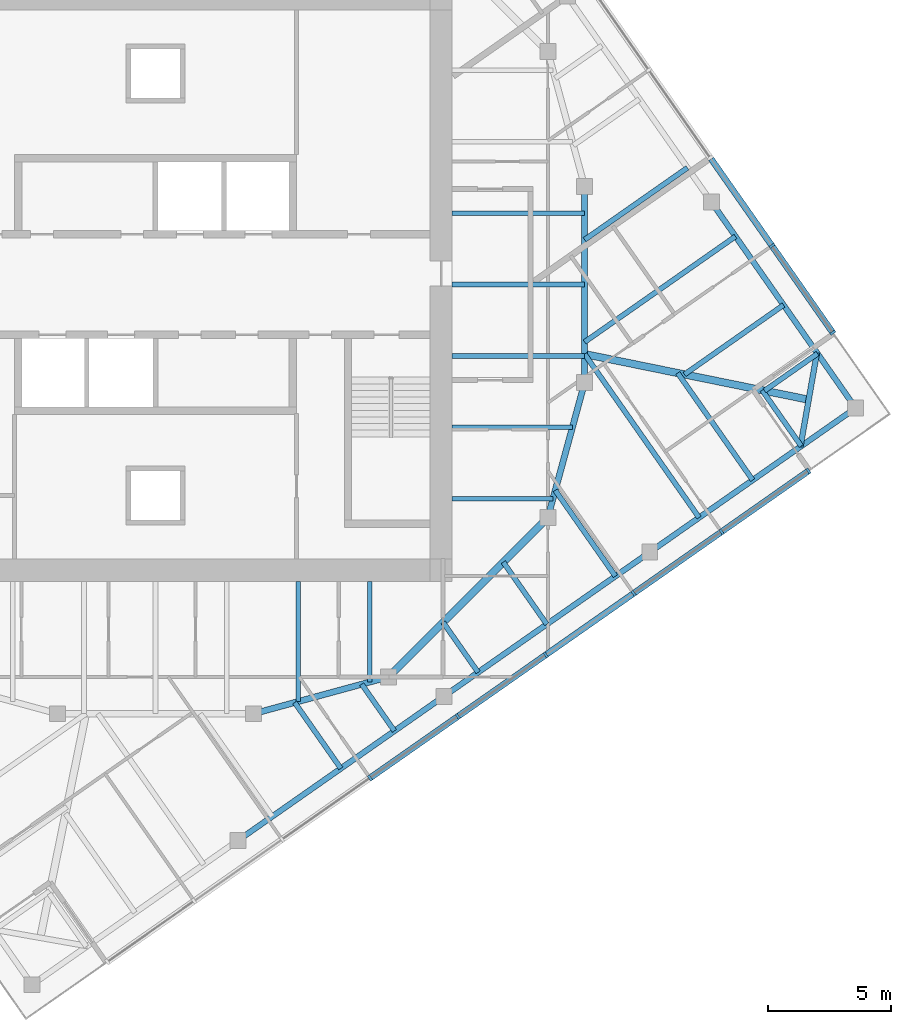
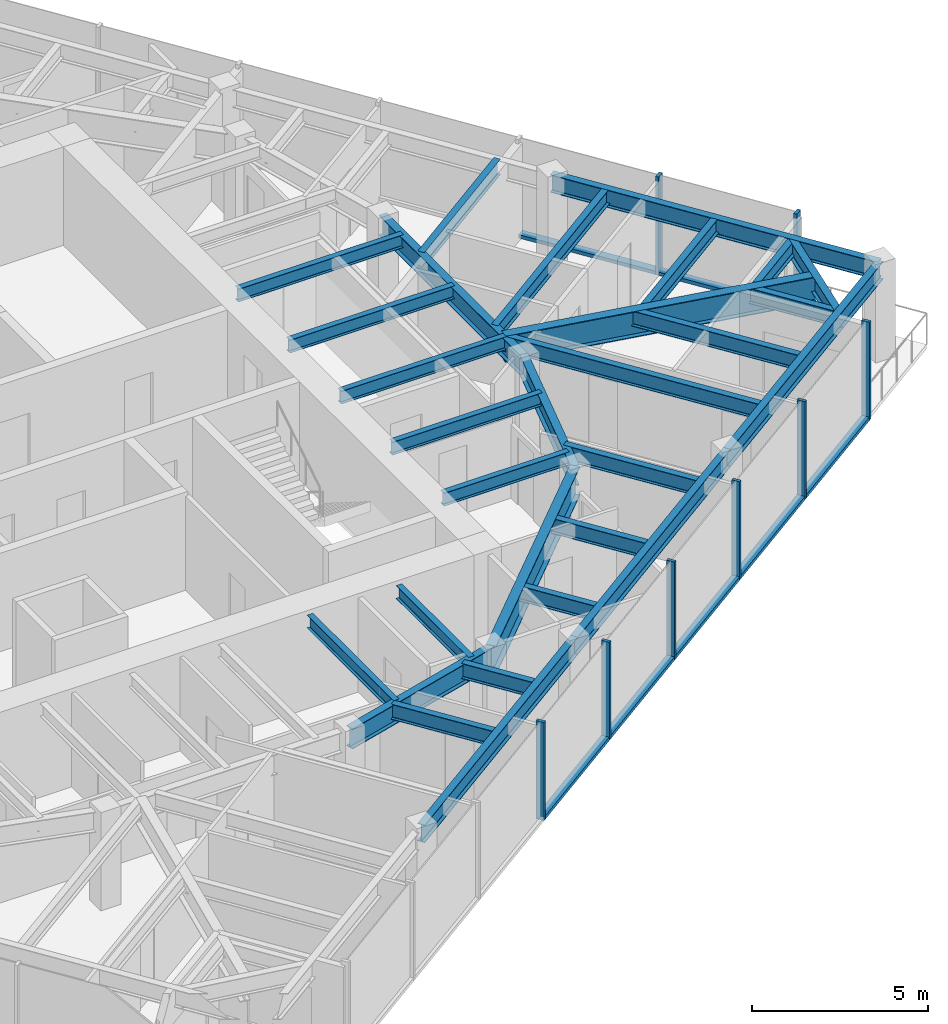
# One storey, part 3 of 12: 29 beams, 15 members, 2 elements without a shape of their own.
"""IFC4 building model written with IfcOpenShell, lengths in metres."""

from ifc_helpers import new_model, si_unit, direction, frame, origin, origin_2d, place, context, subcontext, project, spatial, rectangle, i_section, extrude, material, material_profile, profile_set, type_object, element, aggregate, save


model = new_model("IFC4")

# Units and contexts
model_context = context("Model", 3, precision=1e-05, world=origin(), true_north=direction((0.0, 1.0)))
body_context = subcontext(model_context, "Body", "Model", "MODEL_VIEW")
ifc_project = project(units=[si_unit("LENGTHUNIT", "METRE"), si_unit("AREAUNIT", "SQUARE_METRE"), si_unit("VOLUMEUNIT", "CUBIC_METRE"), si_unit("PLANEANGLEUNIT", "RADIAN"), si_unit("MASSUNIT", "GRAM", prefix="KILO")], contexts=[model_context])

# Site, building, storey
site_placement = place(None, origin())
site = spatial("IfcSite", under=ifc_project, at=site_placement, CompositionType="ELEMENT")
building_placement = place(site_placement, origin())
building = spatial("IfcBuilding", under=site, at=building_placement, Name="Torsade Residences", CompositionType="ELEMENT")
storey_placement = place(building_placement, frame((0.0, 0.0, 254.0)))
storey = spatial("IfcBuildingStorey", under=building, at=storey_placement, Name="L70", CompositionType="ELEMENT", Elevation=254.0)

# Beams
ifc_material_1 = material(Name="Steel grade 300", Category="steel")
ifc_material_profile_1 = material_profile(ifc_material_1, i_section(OverallWidth=0.300048828125, OverallDepth=0.89990234375, WebThickness=0.011962890625, FlangeThickness=0.02490234375, at=origin_2d()), Name="900WB175")
ifc_profile_set_1 = profile_set([ifc_material_profile_1], Name="Steel grade 300")
beam_type_1 = type_object("IfcBeamType", Name="CORNER GIRDER 900WB175", PredefinedType="BEAM", material=ifc_profile_set_1)
beam_1_placement = place(storey_placement, frame((66.635986328125, 25.303466796875, 2.800048828125), z_axis=(-0.979880626756, 0.199584461589, 0.0), x_axis=(-0.199584461589, -0.979880626756, 0.0)))
element("IfcBeam", 1, at=beam_1_placement, inside=storey, type_object=beam_type_1, Name="Corner girder 05 L71", PredefinedType="BEAM", context=body_context, shape_type="SweptSolid", body=[
    extrude(i_section(OverallWidth=0.300048828125, OverallDepth=0.89990234375, WebThickness=0.011962890625, FlangeThickness=0.02490234375, at=origin_2d()), origin(), (0.0, 0.0, 1.0), 9.323486328125),
])
ifc_material_2 = material(Name="Steel grade 300", Category="steel")
ifc_material_profile_2 = material_profile(ifc_material_2, i_section(OverallWidth=0.22802734375, OverallDepth=0.60205078125, WebThickness=0.010498046875, FlangeThickness=0.014892578125, FilletRadius=0.013916015625, at=origin_2d()), Name="610UB101")
ifc_profile_set_2 = profile_set([ifc_material_profile_2], Name="Steel grade 300")
beam_type_2 = type_object("IfcBeamType", Name="CORNER TRIMMER 610UB101", PredefinedType="BEAM", material=ifc_profile_set_2)
beam_2_placement = place(storey_placement, frame((66.9736328125, 27.21826171875, 2.948974609375), z_axis=(-0.173645660267, -0.984808196894, 0.0), x_axis=(0.984808196894, -0.173645660267, 0.0)))
element("IfcBeam", 2, at=beam_2_placement, inside=storey, type_object=beam_type_2, Name="Corner trimmer 05 L71", PredefinedType="BEAM", context=body_context, shape_type="SweptSolid", body=[
    extrude(i_section(OverallWidth=0.22802734375, OverallDepth=0.60205078125, WebThickness=0.010498046875, FlangeThickness=0.014892578125, FilletRadius=0.013916015625, at=origin_2d()), origin(), (0.0, 0.0, 1.0), 3.888916015625),
])
ifc_material_3 = material(Name="Steel grade 300", Category="steel")
ifc_material_profile_3 = material_profile(ifc_material_3, i_section(OverallWidth=0.22900390625, OverallDepth=0.612060546875, WebThickness=0.011962890625, FlangeThickness=0.01953125, FilletRadius=0.013916015625, at=origin_2d()), Name="610UB125")
ifc_profile_set_3 = profile_set([ifc_material_profile_3], Name="Steel grade 300")
beam_type_3 = type_object("IfcBeamType", Name="EDGE BEAM 610UB125", PredefinedType="SPANDREL", material=ifc_profile_set_3)
for number, where, z_axis, x_axis, name in (
    (3, (43.362060546875, 7.328125, 2.944091796875), (0.819150225126, 0.573579034377, 0.0), (-0.573579034377, 0.819150225126, 0.0), "Edge beam 02 L71"),
    (4, (51.75830078125, 13.207275390625, 2.944091796875), (0.819150225126, 0.573579034377, 0.0), (-0.573579034377, 0.819150225126, 0.0), "Edge beam 03 L71"),
):
    element("IfcBeam", number, at=place(storey_placement, frame(where, z_axis=z_axis, x_axis=x_axis)), inside=storey, type_object=beam_type_3, Name=name, PredefinedType="SPANDREL", context=body_context, shape_type="SweptSolid", body=[
        extrude(i_section(OverallWidth=0.22900390625, OverallDepth=0.612060546875, WebThickness=0.011962890625, FlangeThickness=0.01953125, FilletRadius=0.013916015625, at=origin_2d()), origin(), (0.0, 0.0, 1.0), 10.25),
    ])
beam_3_placement = place(storey_placement, frame((60.154541015625, 19.08642578125, 2.944091796875), z_axis=(0.819146870247, 0.573583825578, 0.0), x_axis=(-0.573583825578, 0.819146870247, 0.0)))
element("IfcBeam", 5, at=beam_3_placement, inside=storey, type_object=beam_type_3, Name="Edge beam 04 L71", PredefinedType="SPANDREL", context=body_context, shape_type="SweptSolid", body=[
    extrude(i_section(OverallWidth=0.22900390625, OverallDepth=0.612060546875, WebThickness=0.011962890625, FlangeThickness=0.01953125, FilletRadius=0.013916015625, at=origin_2d()), origin(), (0.0, 0.0, 1.0), 10.250244140625),
])
beam_4_placement = place(storey_placement, frame((68.551025390625, 24.9658203125, 2.944091796875), z_axis=(-0.573579034377, 0.819150225126, 0.0), x_axis=(-0.819150225126, -0.573579034377, 0.0)))
element("IfcBeam", 6, at=beam_4_placement, inside=storey, type_object=beam_type_3, Name="Edge beam 05 L71", PredefinedType="SPANDREL", context=body_context, shape_type="SweptSolid", body=[
    extrude(i_section(OverallWidth=0.22900390625, OverallDepth=0.612060546875, WebThickness=0.011962890625, FlangeThickness=0.01953125, FilletRadius=0.013916015625, at=origin_2d()), origin(), (0.0, 0.0, 1.0), 10.25),
])

# Curtain wall, members
ifc_material_4 = material(Name="Aluminium and glass", Category="aluminium")
curtain_wall_type = type_object("IfcCurtainWallType", Name="FRITTED GLASS CURTAIN WALL HIGH ZONE", PredefinedType="NOTDEFINED", material=ifc_material_4)
curtain_wall_1_placement = place(storey_placement, origin())
curtain_wall_1 = element("IfcCurtainWall", 7, at=curtain_wall_1_placement, inside=storey, type_object=curtain_wall_type, Name="Curtain wall L70 face 1", PredefinedType="NOTDEFINED")
ifc_material_5 = material(Name="Aluminium mullion", Category="aluminium")
ifc_material_profile_4 = material_profile(ifc_material_5, rectangle(XDim=0.25, YDim=0.10009765625, at=origin_2d()), Name="HIGH ZONE CURTAIN WALL MULLION 250x100")
ifc_profile_set_4 = profile_set([ifc_material_profile_4], Name="Aluminium mullion")
member_type_1 = type_object("IfcMemberType", Name="HIGH ZONE CURTAIN WALL MULLION 250x100", PredefinedType="MULLION", material=ifc_profile_set_4)
member_1_placement = place(storey_placement, frame((48.748046875, 9.87890625, 0.0), z_axis=(0.0, 0.0, 1.0), x_axis=(-0.573576457682, 0.819152029353, 0.0)))
member_1 = element("IfcMember", 8, at=member_1_placement, type_object=member_type_1, Name="Mullion 4", PredefinedType="MULLION", context=body_context, shape_type="SweptSolid", body=[
    extrude(rectangle(XDim=0.25, YDim=0.10009765625, at=origin_2d()), origin(), (0.0, 0.0, 1.0), 3.39990234375),
])
member_2_placement = place(storey_placement, frame((52.331787109375, 12.38818359375, 0.0), z_axis=(0.0, 0.0, 1.0), x_axis=(-0.573576457682, 0.819152029353, 0.0)))
member_2 = element("IfcMember", 9, at=member_2_placement, type_object=member_type_1, Name="Mullion 5", PredefinedType="MULLION", context=body_context, shape_type="SweptSolid", body=[
    extrude(rectangle(XDim=0.25, YDim=0.10009765625, at=origin_2d()), origin(), (0.0, 0.0, 1.0), 3.39990234375),
])
member_3_placement = place(storey_placement, frame((55.915771484375, 14.897705078125, 0.0), z_axis=(0.0, 0.0, 1.0), x_axis=(-0.573576457682, 0.819152029353, 0.0)))
member_3 = element("IfcMember", 10, at=member_3_placement, type_object=member_type_1, Name="Mullion 6", PredefinedType="MULLION", context=body_context, shape_type="SweptSolid", body=[
    extrude(rectangle(XDim=0.25, YDim=0.10009765625, at=origin_2d()), origin(), (0.0, 0.0, 1.0), 3.39990234375),
])
member_4_placement = place(storey_placement, frame((59.49951171875, 17.406982421875, 0.0), z_axis=(0.0, 0.0, 1.0), x_axis=(-0.573576457682, 0.819152029353, 0.0)))
member_4 = element("IfcMember", 11, at=member_4_placement, type_object=member_type_1, Name="Mullion 7", PredefinedType="MULLION", context=body_context, shape_type="SweptSolid", body=[
    extrude(rectangle(XDim=0.25, YDim=0.10009765625, at=origin_2d()), origin(), (0.0, 0.0, 1.0), 3.39990234375),
])
member_5_placement = place(storey_placement, frame((63.083251953125, 19.91650390625, 0.0), z_axis=(0.0, 0.0, 1.0), x_axis=(-0.573576457682, 0.819152029353, 0.0)))
member_5 = element("IfcMember", 12, at=member_5_placement, type_object=member_type_1, Name="Mullion 8", PredefinedType="MULLION", context=body_context, shape_type="SweptSolid", body=[
    extrude(rectangle(XDim=0.25, YDim=0.10009765625, at=origin_2d()), origin(), (0.0, 0.0, 1.0), 3.39990234375),
])
member_6_placement = place(storey_placement, frame((66.6259765625, 22.397216796875, 0.0), z_axis=(0.0, 0.0, 1.0), x_axis=(-0.573576457682, 0.819152029353, 0.0)))
member_6 = element("IfcMember", 13, at=member_6_placement, type_object=member_type_1, Name="Mullion 9", PredefinedType="MULLION", context=body_context, shape_type="SweptSolid", body=[
    extrude(rectangle(XDim=0.25, YDim=0.10009765625, at=origin_2d()), origin(), (0.0, 0.0, 1.0), 3.39990234375),
])

curtain_wall_2_placement = place(storey_placement, origin())
curtain_wall_2 = element("IfcCurtainWall", 14, at=curtain_wall_2_placement, inside=storey, type_object=curtain_wall_type, Name="Curtain wall L70 face 4", PredefinedType="NOTDEFINED")
member_7_placement = place(storey_placement, frame((67.62060546875, 28.03759765625, 0.0), z_axis=(0.0, 0.0, 1.0), x_axis=(-0.819152029353, -0.573576457682, 0.0)))
member_7 = element("IfcMember", 15, at=member_7_placement, type_object=member_type_1, Name="Mullion 1", PredefinedType="MULLION", context=body_context, shape_type="SweptSolid", body=[
    extrude(rectangle(XDim=0.25, YDim=0.10009765625, at=origin_2d()), origin(), (0.0, 0.0, 1.0), 3.39990234375),
])
member_8_placement = place(storey_placement, frame((65.139892578125, 31.58056640625, 0.0), z_axis=(0.0, 0.0, 1.0), x_axis=(-0.819152029353, -0.573576457682, 0.0)))
member_8 = element("IfcMember", 16, at=member_8_placement, type_object=member_type_1, Name="Mullion 2", PredefinedType="MULLION", context=body_context, shape_type="SweptSolid", body=[
    extrude(rectangle(XDim=0.25, YDim=0.10009765625, at=origin_2d()), origin(), (0.0, 0.0, 1.0), 3.39990234375),
])

# Member
ifc_material_6 = material(Name="Aluminium transom", Category="aluminium")
ifc_material_profile_5 = material_profile(ifc_material_6, rectangle(XDim=0.25, YDim=0.1201171875, at=origin_2d()), Name="HIGH ZONE CURTAIN WALL TRANSOM 250x120")
ifc_profile_set_5 = profile_set([ifc_material_profile_5], Name="Aluminium transom")
member_type_2 = type_object("IfcMemberType", Name="HIGH ZONE CURTAIN WALL TRANSOM 250x120", PredefinedType="USERDEFINED", material=ifc_profile_set_5)
member_9_placement = place(storey_placement, frame((48.7890625, 9.907470703125, 0.06005859375), z_axis=(0.819146058863, 0.57358498433, 0.0), x_axis=(-0.57358498433, 0.819146058863, 0.0)))
member_9 = element("IfcMember", 17, at=member_9_placement, type_object=member_type_2, Name="Transom 4.1", ObjectType="TRANSOM", PredefinedType="USERDEFINED", context=body_context, shape_type="SweptSolid", body=[
    extrude(rectangle(XDim=0.25, YDim=0.1201171875, at=origin_2d()), origin(), (0.0, 0.0, 1.0), 4.275146484375),
])

member_10_placement = place(storey_placement, frame((52.372802734375, 12.4169921875, 0.06005859375), z_axis=(0.81917289067, 0.573546663483, 0.0), x_axis=(-0.573546663483, 0.81917289067, 0.0)))
member_10 = element("IfcMember", 18, at=member_10_placement, type_object=member_type_2, Name="Transom 5.1", ObjectType="TRANSOM", PredefinedType="USERDEFINED", context=body_context, shape_type="SweptSolid", body=[
    extrude(rectangle(XDim=0.25, YDim=0.1201171875, at=origin_2d()), origin(), (0.0, 0.0, 1.0), 4.27490234375),
])

member_11_placement = place(storey_placement, frame((55.95654296875, 14.92626953125, 0.06005859375), z_axis=(0.819146058863, 0.57358498433, 0.0), x_axis=(-0.57358498433, 0.819146058863, 0.0)))
member_11 = element("IfcMember", 19, at=member_11_placement, type_object=member_type_2, Name="Transom 6.1", ObjectType="TRANSOM", PredefinedType="USERDEFINED", context=body_context, shape_type="SweptSolid", body=[
    extrude(rectangle(XDim=0.25, YDim=0.1201171875, at=origin_2d()), origin(), (0.0, 0.0, 1.0), 4.275146484375),
])

member_12_placement = place(storey_placement, frame((59.54052734375, 17.435791015625, 0.06005859375), z_axis=(0.819154102984, 0.573573496219, 0.0), x_axis=(-0.573573496219, 0.819154102984, 0.0)))
member_12 = element("IfcMember", 20, at=member_12_placement, type_object=member_type_2, Name="Transom 7.1", ObjectType="TRANSOM", PredefinedType="USERDEFINED", context=body_context, shape_type="SweptSolid", body=[
    extrude(rectangle(XDim=0.25, YDim=0.1201171875, at=origin_2d()), origin(), (0.0, 0.0, 1.0), 4.27490234375),
])

member_13_placement = place(storey_placement, frame((63.124267578125, 19.945068359375, 0.06005859375), z_axis=(0.819155901234, 0.573570928023, 0.0), x_axis=(-0.573570928023, 0.819155901234, 0.0)))
member_13 = element("IfcMember", 21, at=member_13_placement, type_object=member_type_2, Name="Transom 8.1", ObjectType="TRANSOM", PredefinedType="USERDEFINED", context=body_context, shape_type="SweptSolid", body=[
    extrude(rectangle(XDim=0.25, YDim=0.1201171875, at=origin_2d()), origin(), (0.0, 0.0, 1.0), 4.22509765625),
])

aggregate(curtain_wall_1, [member_1, member_2, member_3, member_4, member_5, member_6, member_9, member_10, member_11, member_12, member_13])

member_14_placement = place(storey_placement, frame((67.592041015625, 28.07861328125, 0.06005859375), z_axis=(-0.573570928023, 0.819155901234, 0.0), x_axis=(-0.819155901234, -0.573570928023, 0.0)))
member_14 = element("IfcMember", 22, at=member_14_placement, type_object=member_type_2, Name="Transom 1.1", ObjectType="TRANSOM", PredefinedType="USERDEFINED", context=body_context, shape_type="SweptSolid", body=[
    extrude(rectangle(XDim=0.25, YDim=0.1201171875, at=origin_2d()), origin(), (0.0, 0.0, 1.0), 4.22509765625),
])

member_15_placement = place(storey_placement, frame((65.111328125, 31.62158203125, 0.06005859375), z_axis=(-0.573611817101, 0.819127269283, 0.0), x_axis=(-0.819127269283, -0.573611817101, 0.0)))
member_15 = element("IfcMember", 23, at=member_15_placement, type_object=member_type_2, Name="Transom 2.1", ObjectType="TRANSOM", PredefinedType="USERDEFINED", context=body_context, shape_type="SweptSolid", body=[
    extrude(rectangle(XDim=0.25, YDim=0.1201171875, at=origin_2d()), origin(), (0.0, 0.0, 1.0), 4.27490234375),
])

aggregate(curtain_wall_2, [member_7, member_8, member_14, member_15])

# Beams
ifc_material_7 = material(Name="Steel grade 300", Category="steel")
ifc_material_profile_6 = material_profile(ifc_material_7, i_section(OverallWidth=0.18994140625, OverallDepth=0.4541015625, WebThickness=0.008544921875, FlangeThickness=0.0126953125, FilletRadius=0.011474609375, at=origin_2d()), Name="460UB67.1")
ifc_profile_set_6 = profile_set([ifc_material_profile_6], Name="Steel grade 300")
beam_type_4 = type_object("IfcBeamType", Name="INNER FLOOR BEAM 460UB67.1", PredefinedType="JOIST", material=ifc_profile_set_6)
beam_5_placement = place(storey_placement, frame((48.737548828125, 17.89990234375, 3.02294921875), z_axis=(0.0, -1.0, 0.0), x_axis=(1.0, 0.0, 0.0)))
element("IfcBeam", 24, at=beam_5_placement, inside=storey, type_object=beam_type_4, Name="Inner floor beam IS01 L71", PredefinedType="JOIST", context=body_context, shape_type="SweptSolid", body=[
    extrude(i_section(OverallWidth=0.18994140625, OverallDepth=0.4541015625, WebThickness=0.008544921875, FlangeThickness=0.0126953125, FilletRadius=0.011474609375, at=origin_2d()), origin(), (0.0, 0.0, 1.0), 4.10791015625),
])
beam_6_placement = place(storey_placement, frame((45.824951171875, 17.89990234375, 3.02294921875), z_axis=(0.0, -1.0, 0.0), x_axis=(1.0, 0.0, 0.0)))
element("IfcBeam", 25, at=beam_6_placement, inside=storey, type_object=beam_type_4, Name="Inner floor beam IS02 L71", PredefinedType="JOIST", context=body_context, shape_type="SweptSolid", body=[
    extrude(i_section(OverallWidth=0.18994140625, OverallDepth=0.4541015625, WebThickness=0.008544921875, FlangeThickness=0.0126953125, FilletRadius=0.011474609375, at=origin_2d()), origin(), (0.0, 0.0, 1.0), 4.902099609375),
])
beam_7_placement = place(storey_placement, frame((52.10009765625, 21.262451171875, 3.02294921875), z_axis=(1.0, 0.0, 0.0), x_axis=(0.0, 1.0, 0.0)))
element("IfcBeam", 26, at=beam_7_placement, inside=storey, type_object=beam_type_4, Name="Inner floor beam IE01 L71", PredefinedType="JOIST", context=body_context, shape_type="SweptSolid", body=[
    extrude(i_section(OverallWidth=0.18994140625, OverallDepth=0.4541015625, WebThickness=0.008544921875, FlangeThickness=0.0126953125, FilletRadius=0.011474609375, at=origin_2d()), origin(), (0.0, 0.0, 1.0), 4.10791015625),
])
beam_8_placement = place(storey_placement, frame((52.10009765625, 24.175048828125, 3.02294921875), z_axis=(1.0, 0.0, 0.0), x_axis=(0.0, 1.0, 0.0)))
element("IfcBeam", 27, at=beam_8_placement, inside=storey, type_object=beam_type_4, Name="Inner floor beam IE02 L71", PredefinedType="JOIST", context=body_context, shape_type="SweptSolid", body=[
    extrude(i_section(OverallWidth=0.18994140625, OverallDepth=0.4541015625, WebThickness=0.008544921875, FlangeThickness=0.0126953125, FilletRadius=0.011474609375, at=origin_2d()), origin(), (0.0, 0.0, 1.0), 4.902099609375),
])
for number, where, z_axis, x_axis, name in (
    (28, (52.10009765625, 27.08740234375, 3.02294921875), (1.0, 0.0, 0.0), (0.0, 1.0, 0.0), "Inner floor beam IE03 L71"),
    (29, (52.10009765625, 30.0, 3.02294921875), (1.0, 0.0, 0.0), (0.0, 1.0, 0.0), "Inner floor beam IE04 L71"),
    (30, (52.10009765625, 32.91259765625, 3.02294921875), (1.0, 0.0, 0.0), (0.0, 1.0, 0.0), "Inner floor beam IE05 L71"),
):
    element("IfcBeam", number, at=place(storey_placement, frame(where, z_axis=z_axis, x_axis=x_axis)), inside=storey, type_object=beam_type_4, Name=name, PredefinedType="JOIST", context=body_context, shape_type="SweptSolid", body=[
        extrude(i_section(OverallWidth=0.18994140625, OverallDepth=0.4541015625, WebThickness=0.008544921875, FlangeThickness=0.0126953125, FilletRadius=0.011474609375, at=origin_2d()), origin(), (0.0, 0.0, 1.0), 5.39990234375),
    ])
ifc_material_8 = material(Name="Steel grade 300", Category="steel")
ifc_material_profile_7 = material_profile(ifc_material_8, i_section(OverallWidth=0.300048828125, OverallDepth=1.0, WebThickness=0.01611328125, FlangeThickness=0.028076171875, at=origin_2d()), Name="1000WB215")
ifc_profile_set_7 = profile_set([ifc_material_profile_7], Name="Steel grade 300")
beam_type_5 = type_object("IfcBeamType", Name="RING CORNER GIRDER 1000WB215", PredefinedType="BEAM", material=ifc_profile_set_7)
beam_9_placement = place(storey_placement, frame((49.5, 14.0, 2.75), z_axis=(0.707106781187, 0.707106781187, 0.0), x_axis=(-0.707106781187, 0.707106781187, 0.0)))
element("IfcBeam", 31, at=beam_9_placement, inside=storey, type_object=beam_type_5, Name="Ring girder IR15 L71", PredefinedType="BEAM", context=body_context, shape_type="SweptSolid", body=[
    extrude(i_section(OverallWidth=0.300048828125, OverallDepth=1.0, WebThickness=0.01611328125, FlangeThickness=0.028076171875, at=origin_2d()), origin(), (0.0, 0.0, 1.0), 9.1923828125),
])
ifc_material_9 = material(Name="Steel grade 300", Category="steel")
ifc_material_profile_8 = material_profile(ifc_material_9, i_section(OverallWidth=0.25, OverallDepth=0.699951171875, WebThickness=0.010009765625, FlangeThickness=0.02001953125, at=origin_2d()), Name="700WB130")
ifc_profile_set_8 = profile_set([ifc_material_profile_8], Name="Steel grade 300")
beam_type_6 = type_object("IfcBeamType", Name="RING GIRDER 700WB130", PredefinedType="BEAM", material=ifc_profile_set_8)
beam_10_placement = place(storey_placement, frame((57.5, 26.0, 2.89990234375), z_axis=(0.0, 1.0, 0.0), x_axis=(-1.0, 0.0, 0.0)))
element("IfcBeam", 32, at=beam_10_placement, inside=storey, type_object=beam_type_6, Name="Ring girder IR01 L71", PredefinedType="BEAM", context=body_context, shape_type="SweptSolid", body=[
    extrude(i_section(OverallWidth=0.25, OverallDepth=0.699951171875, WebThickness=0.010009765625, FlangeThickness=0.02001953125, at=origin_2d()), origin(), (0.0, 0.0, 1.0), 8.0),
])
for number, where, z_axis, x_axis, name in (
    (33, (44.0, 12.5, 2.89990234375), (0.964763821238, 0.263117405792, 0.0), (-0.263117405792, 0.964763821238, 0.0), "Ring girder IR14 L71"),
    (34, (56.0, 20.5, 2.89990234375), (0.263117405792, 0.964763821238, 0.0), (-0.964763821238, 0.263117405792, 0.0), "Ring girder IR16 L71"),
):
    element("IfcBeam", number, at=place(storey_placement, frame(where, z_axis=z_axis, x_axis=x_axis)), inside=storey, type_object=beam_type_6, Name=name, PredefinedType="BEAM", context=body_context, shape_type="SweptSolid", body=[
        extrude(i_section(OverallWidth=0.25, OverallDepth=0.699951171875, WebThickness=0.010009765625, FlangeThickness=0.02001953125, at=origin_2d()), origin(), (0.0, 0.0, 1.0), 5.700927734375),
    ])
ifc_material_10 = material(Name="Steel grade 300", Category="steel")
ifc_material_profile_9 = material_profile(ifc_material_10, i_section(OverallWidth=0.208984375, OverallDepth=0.532958984375, WebThickness=0.01025390625, FlangeThickness=0.015625, FilletRadius=0.013916015625, at=origin_2d()), Name="530UB92.4")
ifc_profile_set_9 = profile_set([ifc_material_profile_9], Name="Steel grade 300")
beam_type_7 = type_object("IfcBeamType", Name="SECONDARY BEAM 530UB92.4", PredefinedType="JOIST", material=ifc_profile_set_9)
beam_11_placement = place(storey_placement, frame((47.56005859375, 10.267822265625, 2.9833984375), z_axis=(-0.573552173902, 0.819169032504, 0.0), x_axis=(-0.819169032504, -0.573552173902, 0.0)))
element("IfcBeam", 35, at=beam_11_placement, inside=storey, type_object=beam_type_7, Name="Floor beam FS05 L71", PredefinedType="JOIST", context=body_context, shape_type="SweptSolid", body=[
    extrude(i_section(OverallWidth=0.208984375, OverallDepth=0.532958984375, WebThickness=0.01025390625, FlangeThickness=0.015625, FilletRadius=0.013916015625, at=origin_2d()), origin(), (0.0, 0.0, 1.0), 3.283203125),
])
beam_12_placement = place(storey_placement, frame((49.74462890625, 11.79736328125, 2.9833984375), z_axis=(-0.573567996949, 0.819157953557, 0.0), x_axis=(-0.819157953557, -0.573567996949, 0.0)))
element("IfcBeam", 36, at=beam_12_placement, inside=storey, type_object=beam_type_7, Name="Floor beam FS06 L71", PredefinedType="JOIST", context=body_context, shape_type="SweptSolid", body=[
    extrude(i_section(OverallWidth=0.208984375, OverallDepth=0.532958984375, WebThickness=0.01025390625, FlangeThickness=0.015625, FilletRadius=0.013916015625, at=origin_2d()), origin(), (0.0, 0.0, 1.0), 2.326171875),
])
beam_13_placement = place(storey_placement, frame((53.15771484375, 14.187255859375, 2.9833984375), z_axis=(-0.573547823109, 0.819172078752, 0.0), x_axis=(-0.819172078752, -0.573547823109, 0.0)))
element("IfcBeam", 37, at=beam_13_placement, inside=storey, type_object=beam_type_7, Name="Floor beam FS07 L71", PredefinedType="JOIST", context=body_context, shape_type="SweptSolid", body=[
    extrude(i_section(OverallWidth=0.208984375, OverallDepth=0.532958984375, WebThickness=0.01025390625, FlangeThickness=0.015625, FilletRadius=0.013916015625, at=origin_2d()), origin(), (0.0, 0.0, 1.0), 2.491943359375),
])
beam_14_placement = place(storey_placement, frame((55.95654296875, 16.14697265625, 2.9833984375), z_axis=(-0.573600013401, 0.819135534955, 0.0), x_axis=(-0.819135534955, -0.573600013401, 0.0)))
element("IfcBeam", 38, at=beam_14_placement, inside=storey, type_object=beam_type_7, Name="Floor beam FS08 L71", PredefinedType="JOIST", context=body_context, shape_type="SweptSolid", body=[
    extrude(i_section(OverallWidth=0.208984375, OverallDepth=0.532958984375, WebThickness=0.01025390625, FlangeThickness=0.015625, FilletRadius=0.013916015625, at=origin_2d()), origin(), (0.0, 0.0, 1.0), 3.09423828125),
])
beam_15_placement = place(storey_placement, frame((58.755126953125, 18.106689453125, 2.9833984375), z_axis=(-0.573581127575, 0.819148759439, 0.0), x_axis=(-0.819148759439, -0.573581127575, 0.0)))
element("IfcBeam", 39, at=beam_15_placement, inside=storey, type_object=beam_type_7, Name="Floor beam FS09 L71", PredefinedType="JOIST", context=body_context, shape_type="SweptSolid", body=[
    extrude(i_section(OverallWidth=0.208984375, OverallDepth=0.532958984375, WebThickness=0.01025390625, FlangeThickness=0.015625, FilletRadius=0.013916015625, at=origin_2d()), origin(), (0.0, 0.0, 1.0), 4.276123046875),
])
beam_16_placement = place(storey_placement, frame((62.16845703125, 20.49658203125, 2.9833984375), z_axis=(-0.573577087251, 0.819151588523, 0.0), x_axis=(-0.819151588523, -0.573577087251, 0.0)))
element("IfcBeam", 40, at=beam_16_placement, inside=storey, type_object=beam_type_7, Name="Floor beam FS10 L71", PredefinedType="JOIST", context=body_context, shape_type="SweptSolid", body=[
    extrude(i_section(OverallWidth=0.208984375, OverallDepth=0.532958984375, WebThickness=0.01025390625, FlangeThickness=0.015625, FilletRadius=0.013916015625, at=origin_2d()), origin(), (0.0, 0.0, 1.0), 8.13916015625),
])
beam_17_placement = place(storey_placement, frame((64.352783203125, 22.026123046875, 2.9833984375), z_axis=(-0.573597638513, 0.819137197966, 0.0), x_axis=(-0.819137197966, -0.573597638513, 0.0)))
element("IfcBeam", 41, at=beam_17_placement, inside=storey, type_object=beam_type_7, Name="Floor beam FS11 L71", PredefinedType="JOIST", context=body_context, shape_type="SweptSolid", body=[
    extrude(i_section(OverallWidth=0.208984375, OverallDepth=0.532958984375, WebThickness=0.01025390625, FlangeThickness=0.015625, FilletRadius=0.013916015625, at=origin_2d()), origin(), (0.0, 0.0, 1.0), 5.328369140625),
])
beam_18_placement = place(storey_placement, frame((66.332275390625, 23.412353515625, 2.9833984375), z_axis=(-0.573521270253, 0.819190669238, 0.0), x_axis=(-0.819190669238, -0.573521270253, 0.0)))
element("IfcBeam", 42, at=beam_18_placement, inside=storey, type_object=beam_type_7, Name="Floor beam FS12 L71", PredefinedType="JOIST", context=body_context, shape_type="SweptSolid", body=[
    extrude(i_section(OverallWidth=0.208984375, OverallDepth=0.532958984375, WebThickness=0.01025390625, FlangeThickness=0.015625, FilletRadius=0.013916015625, at=origin_2d()), origin(), (0.0, 0.0, 1.0), 2.780517578125),
])
beam_19_placement = place(storey_placement, frame((66.99755859375, 27.184326171875, 2.9833984375), z_axis=(-0.819140666445, -0.573592685254, 0.0), x_axis=(0.573592685254, -0.819140666445, 0.0)))
element("IfcBeam", 43, at=beam_19_placement, inside=storey, type_object=beam_type_7, Name="Floor beam FE01 L71", PredefinedType="JOIST", context=body_context, shape_type="SweptSolid", body=[
    extrude(i_section(OverallWidth=0.208984375, OverallDepth=0.532958984375, WebThickness=0.01025390625, FlangeThickness=0.015625, FilletRadius=0.013916015625, at=origin_2d()), origin(), (0.0, 0.0, 1.0), 2.639892578125),
])
beam_20_placement = place(storey_placement, frame((65.611328125, 29.163818359375, 2.9833984375), z_axis=(-0.819152843027, -0.573575295634, 0.0), x_axis=(0.573575295634, -0.819152843027, 0.0)))
element("IfcBeam", 44, at=beam_20_placement, inside=storey, type_object=beam_type_7, Name="Floor beam FE02 L71", PredefinedType="JOIST", context=body_context, shape_type="SweptSolid", body=[
    extrude(i_section(OverallWidth=0.208984375, OverallDepth=0.532958984375, WebThickness=0.01025390625, FlangeThickness=0.015625, FilletRadius=0.013916015625, at=origin_2d()), origin(), (0.0, 0.0, 1.0), 4.931884765625),
])
beam_21_placement = place(storey_placement, frame((63.651611328125, 31.962646484375, 2.9833984375), z_axis=(-0.819154019917, -0.573573614851, 0.0), x_axis=(0.573573614851, -0.819154019917, 0.0)))
element("IfcBeam", 45, at=beam_21_placement, inside=storey, type_object=beam_type_7, Name="Floor beam FE03 L71", PredefinedType="JOIST", context=body_context, shape_type="SweptSolid", body=[
    extrude(i_section(OverallWidth=0.208984375, OverallDepth=0.532958984375, WebThickness=0.01025390625, FlangeThickness=0.015625, FilletRadius=0.013916015625, at=origin_2d()), origin(), (0.0, 0.0, 1.0), 7.509765625),
])
beam_22_placement = place(storey_placement, frame((61.69189453125, 34.761474609375, 2.9833984375), z_axis=(-0.819142258339, -0.573590411882, 0.0), x_axis=(0.573590411882, -0.819142258339, 0.0)))
element("IfcBeam", 46, at=beam_22_placement, inside=storey, type_object=beam_type_7, Name="Floor beam FE04 L71", PredefinedType="JOIST", context=body_context, shape_type="SweptSolid", body=[
    extrude(i_section(OverallWidth=0.208984375, OverallDepth=0.532958984375, WebThickness=0.01025390625, FlangeThickness=0.015625, FilletRadius=0.013916015625, at=origin_2d()), origin(), (0.0, 0.0, 1.0), 5.117431640625),
])

save(model, "model.ifc")
